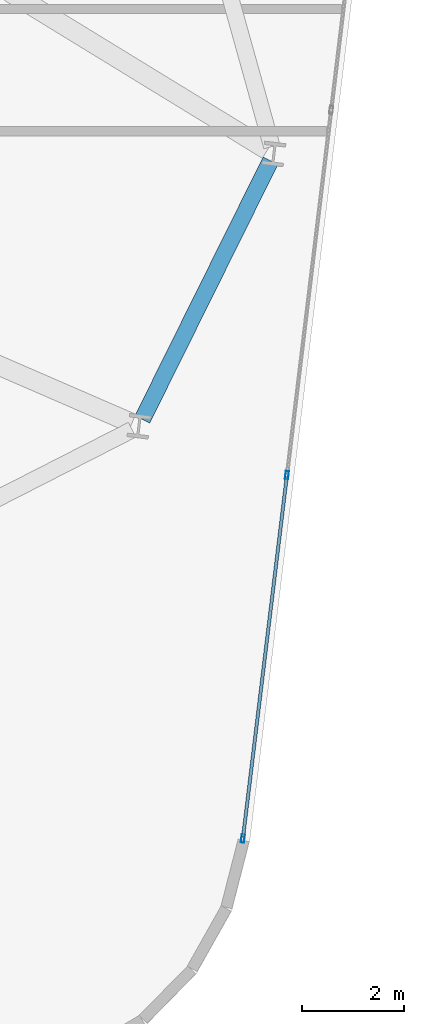
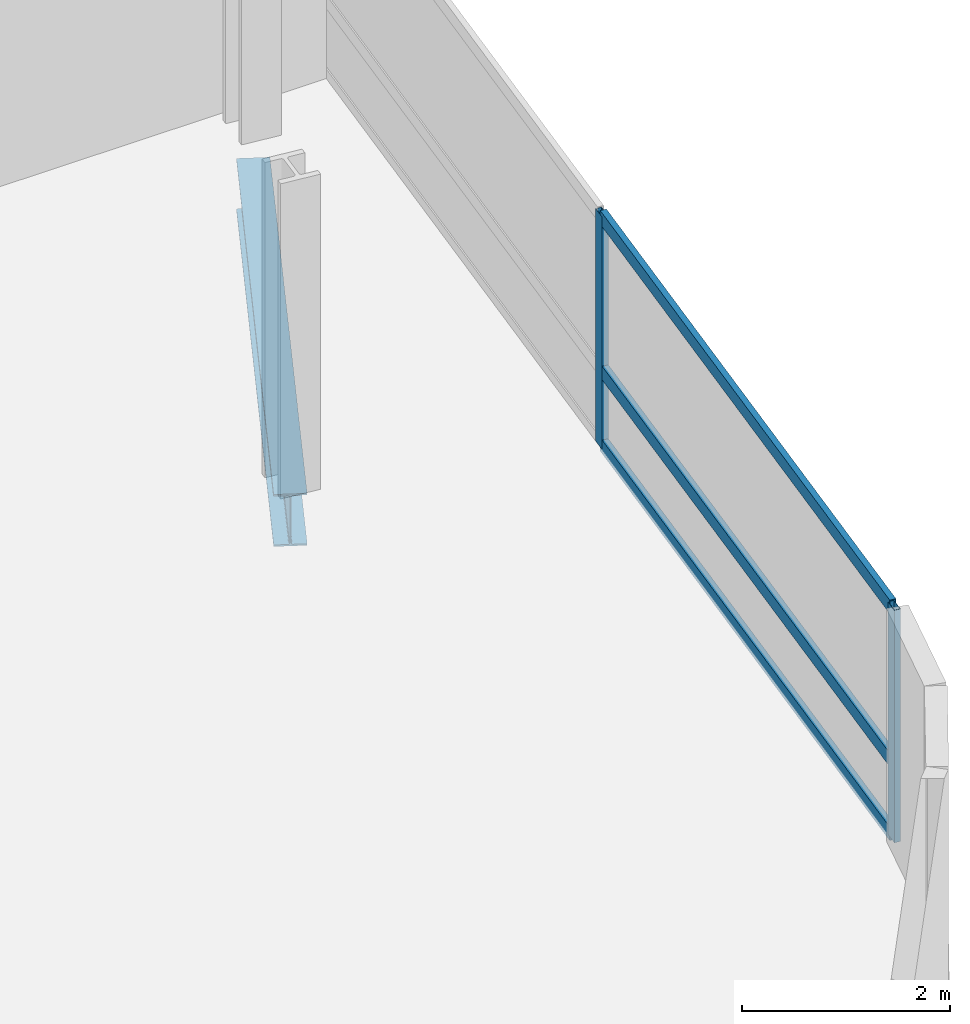
# One storey, part 14 of 26: 5 members, 1 beam, 1 element without a shape of its own.
"""IFC4 building model written with IfcOpenShell, lengths in metres."""

from ifc_helpers import new_model, si_unit, direction, frame, origin, origin_2d, place, context, subcontext, project, spatial, hollow_rectangle, i_section, extrude, material, layer, layer_set, material_profile, profile_set, type_object, element, aggregate, save


model = new_model("IFC4")

# Units and contexts
model_context = context("Model", 3, precision=1e-05, world=origin(), true_north=direction((0.0, 1.0)))
body_context = subcontext(model_context, "Body", "Model", "MODEL_VIEW")
ifc_project = project(units=[si_unit("LENGTHUNIT", "METRE"), si_unit("AREAUNIT", "SQUARE_METRE"), si_unit("VOLUMEUNIT", "CUBIC_METRE"), si_unit("PLANEANGLEUNIT", "RADIAN"), si_unit("MASSUNIT", "GRAM", prefix="KILO")], contexts=[model_context])

# Site, building, storey
site_placement = place(None, origin())
site = spatial("IfcSite", under=ifc_project, at=site_placement, CompositionType="ELEMENT")
building_placement = place(site_placement, origin())
building = spatial("IfcBuilding", under=site, at=building_placement, Name="Varnelok Gate Tower", CompositionType="ELEMENT")
storey_placement = place(building_placement, frame((0.0, 0.0, 125.39990234375)))
storey = spatial("IfcBuildingStorey", under=building, at=storey_placement, Name="L31", CompositionType="ELEMENT", Elevation=125.39990234375)

# Beam
ifc_material_1 = material(Name="Structural Steel ASTM A992 Grade 50", Category="steel")
ifc_material_profile_1 = material_profile(ifc_material_1, i_section(OverallWidth=0.323974609375, OverallDepth=0.611083984375, WebThickness=0.0126953125, FlangeThickness=0.01904296875, FilletRadius=0.01806640625, at=origin_2d()), Name="W24X104")
ifc_profile_set_1 = profile_set([ifc_material_profile_1], Name="Structural Steel ASTM A992 Grade 50")
beam_type = type_object("IfcBeamType", Name="BM-SPN-W24X104", PredefinedType="SPANDREL", material=ifc_profile_set_1)
beam_placement = place(storey_placement, frame((71.859619140625, 11.20849609375, -0.555419921875), z_axis=(0.44413424616, 0.895960251009, 0.0), x_axis=(-0.895960251009, 0.44413424616, 0.0)))
element("IfcBeam", 1, at=beam_placement, inside=storey, type_object=beam_type, Name="L31 Perimeter Spandrel Beam 6", PredefinedType="SPANDREL", context=body_context, shape_type="SweptSolid", body=[
    extrude(i_section(OverallWidth=0.323974609375, OverallDepth=0.611083984375, WebThickness=0.0126953125, FlangeThickness=0.01904296875, FilletRadius=0.01806640625, at=origin_2d()), origin(), (0.0, 0.0, 1.0), 5.64990234375),
])

# Curtain wall, members
ifc_material_2 = material(Name="Anodized Aluminum Alloy 6063-T6", Category="aluminium")
ifc_layer = layer(ifc_material_2, 0.179931640625)
ifc_layer_set = layer_set([ifc_layer], Name="Anodized Aluminum Alloy 6063-T6")
curtain_wall_type = type_object("IfcCurtainWallType", Name="CW3-HOTEL-VISION", PredefinedType="USERDEFINED", material=ifc_layer_set)
curtain_wall_placement = place(storey_placement, origin())
curtain_wall = element("IfcCurtainWall", 2, at=curtain_wall_placement, inside=storey, type_object=curtain_wall_type, Name="L31 East End Vision Curtain Wall", ObjectType="UNITISED CURTAIN WALL", PredefinedType="USERDEFINED")
ifc_material_profile_2 = material_profile(ifc_material_2, hollow_rectangle(XDim=0.06494140625, YDim=0.159912109375, WallThickness=0.00390625, at=origin_2d()), Name="ALU160X65X4")
ifc_profile_set_2 = profile_set([ifc_material_profile_2], Name="Anodized Aluminum Alloy 6063-T6")
member_type_1 = type_object("IfcMemberType", Name="CW-MULL-160", PredefinedType="MULLION", material=ifc_profile_set_2)
member_1_placement = place(storey_placement, frame((74.69091796875, 10.118408203125, 0.0), z_axis=(0.0, 0.0, 1.0), x_axis=(0.99273188146, -0.120347046212, 0.0)))
member_1 = element("IfcMember", 3, at=member_1_placement, type_object=member_type_1, Name="CW3 mullion 5", PredefinedType="MULLION", context=body_context, shape_type="SweptSolid", body=[
    extrude(hollow_rectangle(XDim=0.06494140625, YDim=0.159912109375, WallThickness=0.00390625, at=origin_2d()), origin(), (0.0, 0.0, 1.0), 2.72998046875),
])
member_2_placement = place(storey_placement, frame((73.828369140625, 3.003173828125, 0.0), z_axis=(0.0, 0.0, 1.0), x_axis=(0.99273188146, -0.120347046212, 0.0)))
member_2 = element("IfcMember", 4, at=member_2_placement, type_object=member_type_1, Name="CW3 mullion 6", PredefinedType="MULLION", context=body_context, shape_type="SweptSolid", body=[
    extrude(hollow_rectangle(XDim=0.06494140625, YDim=0.159912109375, WallThickness=0.00390625, at=origin_2d()), origin(), (0.0, 0.0, 1.0), 2.72998046875),
])
ifc_material_profile_3 = material_profile(ifc_material_2, hollow_rectangle(XDim=0.06494140625, YDim=0.159912109375, WallThickness=0.00390625, at=origin_2d()), Name="ALU160X65X4")
ifc_profile_set_3 = profile_set([ifc_material_profile_3], Name="Anodized Aluminum Alloy 6063-T6")
member_type_2 = type_object("IfcMemberType", Name="CW-TRAN-160", PredefinedType="USERDEFINED", material=ifc_profile_set_3)
member_3_placement = place(storey_placement, frame((74.68701171875, 10.086181640625, 0.03271484375), z_axis=(-0.120344712857, -0.992732164326, 0.0), x_axis=(0.992732164326, -0.120344712857, 0.0)))
member_3 = element("IfcMember", 5, at=member_3_placement, type_object=member_type_2, Name="CW3 transom 5.1", ObjectType="TRANSOM", PredefinedType="USERDEFINED", context=body_context, shape_type="SweptSolid", body=[
    extrude(hollow_rectangle(XDim=0.06494140625, YDim=0.159912109375, WallThickness=0.00390625, at=origin_2d()), origin(), (0.0, 0.0, 1.0), 7.102294921875),
])
member_4_placement = place(storey_placement, frame((74.68701171875, 10.086181640625, 0.900146484375), z_axis=(-0.120344712857, -0.992732164326, 0.0), x_axis=(0.992732164326, -0.120344712857, 0.0)))
member_4 = element("IfcMember", 6, at=member_4_placement, type_object=member_type_2, Name="CW3 transom 5.2", ObjectType="TRANSOM", PredefinedType="USERDEFINED", context=body_context, shape_type="SweptSolid", body=[
    extrude(hollow_rectangle(XDim=0.06494140625, YDim=0.159912109375, WallThickness=0.00390625, at=origin_2d()), origin(), (0.0, 0.0, 1.0), 7.102294921875),
])
member_5_placement = place(storey_placement, frame((74.68701171875, 10.086181640625, 2.697509765625), z_axis=(-0.120344712857, -0.992732164326, 0.0), x_axis=(0.992732164326, -0.120344712857, 0.0)))
member_5 = element("IfcMember", 7, at=member_5_placement, type_object=member_type_2, Name="CW3 transom 5.3", ObjectType="TRANSOM", PredefinedType="USERDEFINED", context=body_context, shape_type="SweptSolid", body=[
    extrude(hollow_rectangle(XDim=0.06494140625, YDim=0.159912109375, WallThickness=0.00390625, at=origin_2d()), origin(), (0.0, 0.0, 1.0), 7.102294921875),
])
aggregate(curtain_wall, [member_1, member_2, member_3, member_4, member_5])

save(model, "model.ifc")
